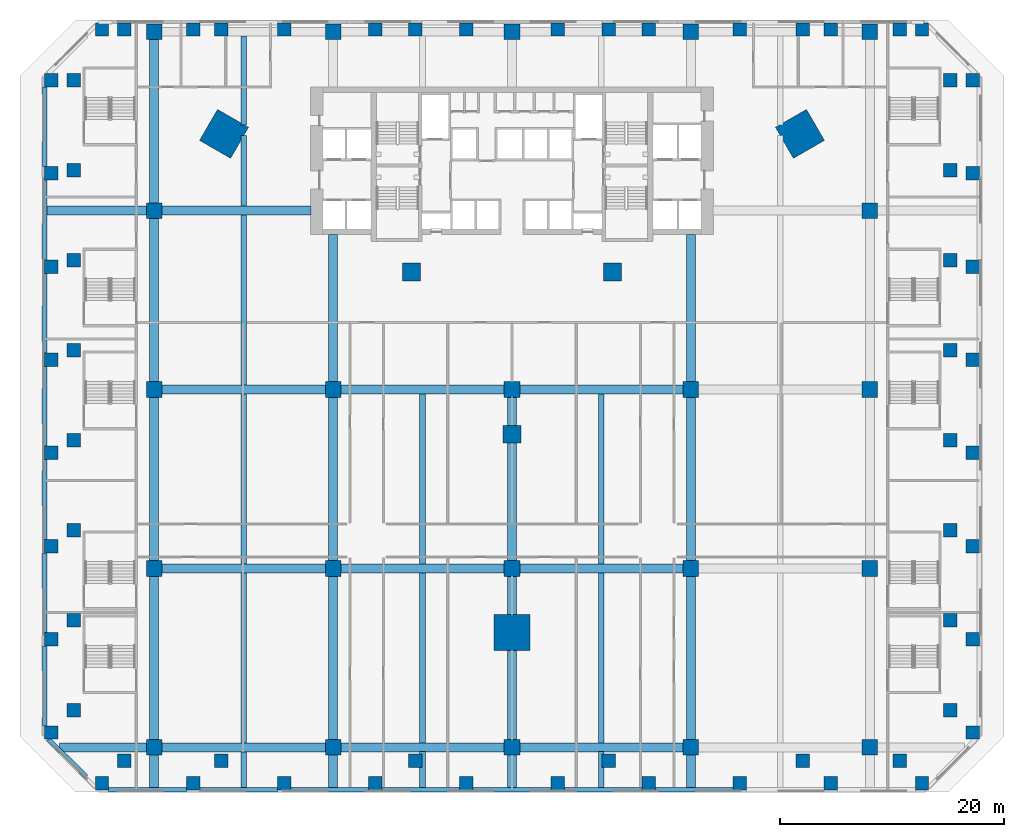
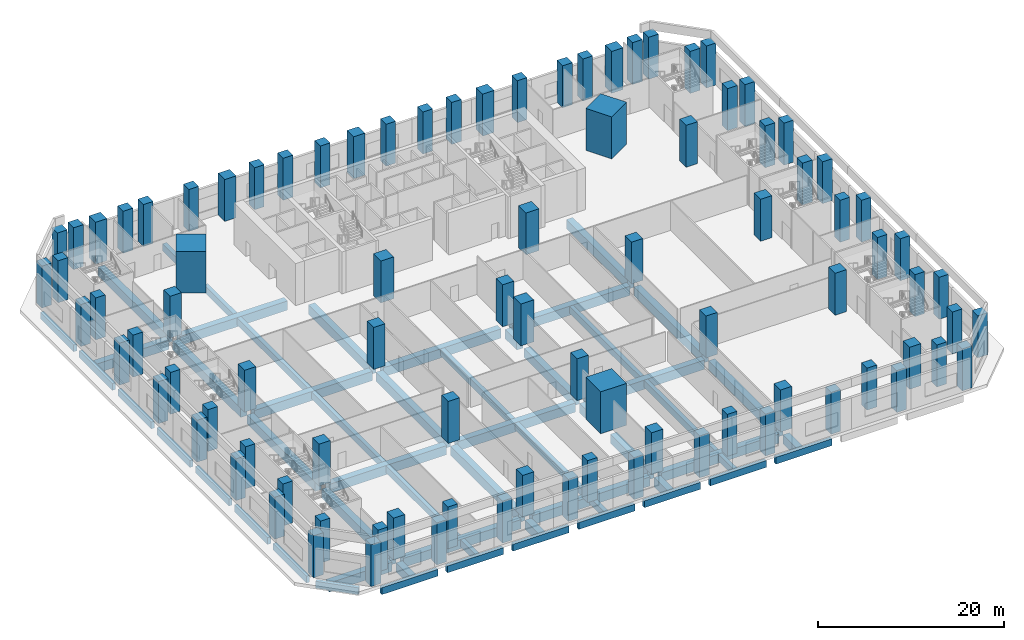
# One storey, part 1 of 22: 92 columns, 57 beams.
"""IFC4 building model written with IfcOpenShell, lengths in metres."""

from ifc_helpers import new_model, si_unit, direction, frame, origin, origin_2d, place, context, subcontext, project, spatial, rectangle, extrude, material, material_profile, profile_set, type_object, element, save


model = new_model("IFC4")

# Units and contexts
model_context = context("Model", 3, precision=1e-05, world=origin(), true_north=direction((0.0, 1.0)))
body_context = subcontext(model_context, "Body", "Model", "MODEL_VIEW")
ifc_project = project(units=[si_unit("LENGTHUNIT", "METRE"), si_unit("AREAUNIT", "SQUARE_METRE"), si_unit("VOLUMEUNIT", "CUBIC_METRE"), si_unit("PLANEANGLEUNIT", "RADIAN"), si_unit("MASSUNIT", "GRAM", prefix="KILO")], contexts=[model_context])

# Site, building, storey
site_placement = place(None, origin())
site = spatial("IfcSite", under=ifc_project, at=site_placement, CompositionType="ELEMENT")
building_placement = place(site_placement, origin())
building = spatial("IfcBuilding", under=site, at=building_placement, Name="Calabash Gate Tower", CompositionType="ELEMENT")
storey_placement = place(building_placement, frame((0.0, 0.0, 34.5)))
storey = spatial("IfcBuildingStorey", under=building, at=storey_placement, Name="L04", CompositionType="ELEMENT", Elevation=34.5)

# Columns
ifc_material_1 = material(Name="Concrete C80/95", Category="concrete")
ifc_material_profile_1 = material_profile(ifc_material_1, rectangle(XDim=1.60009765625, YDim=1.60009765625, at=origin_2d()))
ifc_profile_set_1 = profile_set([ifc_material_profile_1], Name="Concrete C80/95")
column_type_1 = type_object("IfcColumnType", Name="Interior column RC 1600x1600 Concrete C80/95", PredefinedType="COLUMN", material=ifc_profile_set_1)
for number, where, z_axis, x_axis, name in (
    (1, (-9.0, 2.5, 0.0), (0.0, 0.0, 1.0), (1.0, 0.0, 0.0), "Interior column L04 I0"),
    (2, (9.0, 2.5, 0.0), (0.0, 0.0, 1.0), (1.0, 0.0, 0.0), "Interior column L04 I1"),
    (3, (0.0, -12.0, 0.0), (0.0, 0.0, 1.0), (1.0, 0.0, 0.0), "Interior column L04 I2"),
):
    element("IfcColumn", number, at=place(storey_placement, frame(where, z_axis=z_axis, x_axis=x_axis)), inside=storey, type_object=column_type_1, Name=name, PredefinedType="COLUMN", context=body_context, shape_type="SweptSolid", body=[
        extrude(rectangle(XDim=1.60009765625, YDim=1.60009765625, at=origin_2d()), origin(), (0.0, 0.0, 1.0), 5.5),
    ])
ifc_material_2 = material(Name="Concrete C80/95", Category="concrete")
ifc_material_profile_2 = material_profile(ifc_material_2, rectangle(XDim=3.199951171875, YDim=3.199951171875, at=origin_2d()))
ifc_profile_set_2 = profile_set([ifc_material_profile_2], Name="Concrete C80/95")
column_type_2 = type_object("IfcColumnType", Name="Mega column RC 3200x3200 Concrete C80/95", PredefinedType="COLUMN", material=ifc_profile_set_2)
for number, where, z_axis, x_axis, name in (
    (4, (-25.75, 14.866943359375, 0.0), (0.0, 0.0, 1.0), (0.866025386331, -0.50000003023, 0.0), "Mega column L04 NW"),
    (5, (25.75, 14.866943359375, 0.0), (0.0, 0.0, 1.0), (-0.866025386331, -0.50000003023, 0.0), "Mega column L04 NE"),
    (6, (0.0, -29.73291015625, 0.0), (0.0, 0.0, 1.0), (0.0, 1.0, 0.0), "Mega column L04 S"),
):
    element("IfcColumn", number, at=place(storey_placement, frame(where, z_axis=z_axis, x_axis=x_axis)), inside=storey, type_object=column_type_2, Name=name, PredefinedType="COLUMN", context=body_context, shape_type="SweptSolid", body=[
        extrude(rectangle(XDim=3.199951171875, YDim=3.199951171875, at=origin_2d()), origin(), (0.0, 0.0, 1.0), 5.5),
    ])
ifc_material_3 = material(Name="Concrete C80/95", Category="concrete")
ifc_material_profile_3 = material_profile(ifc_material_3, rectangle(XDim=1.39990234375, YDim=1.39990234375, at=origin_2d()))
ifc_profile_set_3 = profile_set([ifc_material_profile_3], Name="Concrete C80/95")
column_type_3 = type_object("IfcColumnType", Name="Podium column RC 1400x1400 Concrete C80/95", PredefinedType="COLUMN", material=ifc_profile_set_3)
for number, where, z_axis, x_axis, name in (
    (7, (-32.0, -40.0, 0.0), (0.0, 0.0, 1.0), (1.0, 0.0, 0.0), "Podium column L04 G2A"),
    (8, (-32.0, -24.0, 0.0), (0.0, 0.0, 1.0), (1.0, 0.0, 0.0), "Podium column L04 G2B"),
    (9, (-32.0, -8.0, 0.0), (0.0, 0.0, 1.0), (1.0, 0.0, 0.0), "Podium column L04 G2C"),
    (10, (-32.0, 8.0, 0.0), (0.0, 0.0, 1.0), (1.0, 0.0, 0.0), "Podium column L04 G2D"),
    (11, (-32.0, 24.0, 0.0), (0.0, 0.0, 1.0), (1.0, 0.0, 0.0), "Podium column L04 G2E"),
    (12, (-16.0, -40.0, 0.0), (0.0, 0.0, 1.0), (1.0, 0.0, 0.0), "Podium column L04 G3A"),
    (13, (-16.0, -24.0, 0.0), (0.0, 0.0, 1.0), (1.0, 0.0, 0.0), "Podium column L04 G3B"),
    (14, (-16.0, -8.0, 0.0), (0.0, 0.0, 1.0), (1.0, 0.0, 0.0), "Podium column L04 G3C"),
    (15, (-16.0, 24.0, 0.0), (0.0, 0.0, 1.0), (1.0, 0.0, 0.0), "Podium column L04 G3E"),
    (16, (0.0, -40.0, 0.0), (0.0, 0.0, 1.0), (1.0, 0.0, 0.0), "Podium column L04 G4A"),
    (17, (0.0, -24.0, 0.0), (0.0, 0.0, 1.0), (1.0, 0.0, 0.0), "Podium column L04 G4B"),
    (18, (0.0, -8.0, 0.0), (0.0, 0.0, 1.0), (1.0, 0.0, 0.0), "Podium column L04 G4C"),
    (19, (0.0, 24.0, 0.0), (0.0, 0.0, 1.0), (1.0, 0.0, 0.0), "Podium column L04 G4E"),
    (20, (16.0, -40.0, 0.0), (0.0, 0.0, 1.0), (1.0, 0.0, 0.0), "Podium column L04 G5A"),
    (21, (16.0, -24.0, 0.0), (0.0, 0.0, 1.0), (1.0, 0.0, 0.0), "Podium column L04 G5B"),
    (22, (16.0, -8.0, 0.0), (0.0, 0.0, 1.0), (1.0, 0.0, 0.0), "Podium column L04 G5C"),
    (23, (16.0, 24.0, 0.0), (0.0, 0.0, 1.0), (1.0, 0.0, 0.0), "Podium column L04 G5E"),
    (24, (32.0, -40.0, 0.0), (0.0, 0.0, 1.0), (1.0, 0.0, 0.0), "Podium column L04 G6A"),
    (25, (32.0, -24.0, 0.0), (0.0, 0.0, 1.0), (1.0, 0.0, 0.0), "Podium column L04 G6B"),
    (26, (32.0, -8.0, 0.0), (0.0, 0.0, 1.0), (1.0, 0.0, 0.0), "Podium column L04 G6C"),
    (27, (32.0, 8.0, 0.0), (0.0, 0.0, 1.0), (1.0, 0.0, 0.0), "Podium column L04 G6D"),
    (28, (32.0, 24.0, 0.0), (0.0, 0.0, 1.0), (1.0, 0.0, 0.0), "Podium column L04 G6E"),
):
    element("IfcColumn", number, at=place(storey_placement, frame(where, z_axis=z_axis, x_axis=x_axis)), inside=storey, type_object=column_type_3, Name=name, PredefinedType="COLUMN", context=body_context, shape_type="SweptSolid", body=[
        extrude(rectangle(XDim=1.39990234375, YDim=1.39990234375, at=origin_2d()), origin(), (0.0, 0.0, 1.0), 5.5),
    ])
ifc_material_4 = material(Name="Concrete C80/95", Category="concrete")
ifc_material_profile_4 = material_profile(ifc_material_4, rectangle(XDim=1.199951171875, YDim=1.199951171875, at=origin_2d()))
ifc_profile_set_4 = profile_set([ifc_material_profile_4], Name="Concrete C80/95")
column_type_4 = type_object("IfcColumnType", Name="Podium edge column RC 1200x1200 Concrete C80/95", PredefinedType="COLUMN", material=ifc_profile_set_4)
for number, where, z_axis, x_axis, name in (
    (29, (-34.6689453125, -41.199951171875, 0.0), (0.0, 0.0, 1.0), (1.0, 0.0, 0.0), "Podium edge column L04 E01"),
    (30, (-39.199951171875, -36.6689453125, 0.0), (0.0, 0.0, 1.0), (1.0, 0.0, 0.0), "Podium edge column L04 E02"),
    (31, (-39.199951171875, 19.6689453125, 0.0), (0.0, 0.0, 1.0), (1.0, 0.0, 0.0), "Podium edge column L04 E03"),
    (32, (-34.6689453125, 24.199951171875, 0.0), (0.0, 0.0, 1.0), (1.0, 0.0, 0.0), "Podium edge column L04 E04"),
    (33, (34.6689453125, 24.199951171875, 0.0), (0.0, 0.0, 1.0), (1.0, 0.0, 0.0), "Podium edge column L04 E05"),
    (34, (39.199951171875, 19.6689453125, 0.0), (0.0, 0.0, 1.0), (1.0, 0.0, 0.0), "Podium edge column L04 E06"),
    (35, (39.199951171875, -36.6689453125, 0.0), (0.0, 0.0, 1.0), (1.0, 0.0, 0.0), "Podium edge column L04 E07"),
    (36, (34.6689453125, -41.199951171875, 0.0), (0.0, 0.0, 1.0), (1.0, 0.0, 0.0), "Podium edge column L04 E08"),
    (37, (-39.199951171875, -28.6201171875, 0.0), (0.0, 0.0, 1.0), (1.0, 0.0, 0.0), "Podium edge column L04 E09"),
    (38, (-39.199951171875, -20.572021484375, 0.0), (0.0, 0.0, 1.0), (1.0, 0.0, 0.0), "Podium edge column L04 E10"),
    (39, (-39.199951171875, -12.52392578125, 0.0), (0.0, 0.0, 1.0), (1.0, 0.0, 0.0), "Podium edge column L04 E11"),
    (40, (-39.199951171875, -4.47607421875, 0.0), (0.0, 0.0, 1.0), (1.0, 0.0, 0.0), "Podium edge column L04 E12"),
    (41, (-39.199951171875, 3.572021484375, 0.0), (0.0, 0.0, 1.0), (1.0, 0.0, 0.0), "Podium edge column L04 E13"),
    (42, (-39.199951171875, 11.6201171875, 0.0), (0.0, 0.0, 1.0), (1.0, 0.0, 0.0), "Podium edge column L04 E14"),
    (43, (-26.001953125, 24.199951171875, 0.0), (0.0, 0.0, 1.0), (1.0, 0.0, 0.0), "Podium edge column L04 E15"),
    (44, (-8.6669921875, 24.199951171875, 0.0), (0.0, 0.0, 1.0), (1.0, 0.0, 0.0), "Podium edge column L04 E16"),
    (45, (8.6669921875, 24.199951171875, 0.0), (0.0, 0.0, 1.0), (1.0, 0.0, 0.0), "Podium edge column L04 E17"),
    (46, (26.001953125, 24.199951171875, 0.0), (0.0, 0.0, 1.0), (1.0, 0.0, 0.0), "Podium edge column L04 E18"),
    (47, (39.199951171875, 11.6201171875, 0.0), (0.0, 0.0, 1.0), (1.0, 0.0, 0.0), "Podium edge column L04 E19"),
    (48, (39.199951171875, 3.572021484375, 0.0), (0.0, 0.0, 1.0), (1.0, 0.0, 0.0), "Podium edge column L04 E20"),
    (49, (39.199951171875, -4.47607421875, 0.0), (0.0, 0.0, 1.0), (1.0, 0.0, 0.0), "Podium edge column L04 E21"),
    (50, (39.199951171875, -12.52392578125, 0.0), (0.0, 0.0, 1.0), (1.0, 0.0, 0.0), "Podium edge column L04 E22"),
    (51, (39.199951171875, -20.572021484375, 0.0), (0.0, 0.0, 1.0), (1.0, 0.0, 0.0), "Podium edge column L04 E23"),
    (52, (39.199951171875, -28.6201171875, 0.0), (0.0, 0.0, 1.0), (1.0, 0.0, 0.0), "Podium edge column L04 E24"),
    (53, (26.001953125, -41.199951171875, 0.0), (0.0, 0.0, 1.0), (1.0, 0.0, 0.0), "Podium edge column L04 E25"),
    (54, (8.6669921875, -41.199951171875, 0.0), (0.0, 0.0, 1.0), (1.0, 0.0, 0.0), "Podium edge column L04 E26"),
    (55, (-8.6669921875, -41.199951171875, 0.0), (0.0, 0.0, 1.0), (1.0, 0.0, 0.0), "Podium edge column L04 E27"),
    (56, (-26.001953125, -41.199951171875, 0.0), (0.0, 0.0, 1.0), (1.0, 0.0, 0.0), "Podium edge column L04 E28"),
    (57, (-36.6689453125, -43.199951171875, 0.0), (0.0, 0.0, 1.0), (1.0, 0.0, 0.0), "Podium edge column L04 E29"),
    (58, (-41.199951171875, -38.6689453125, 0.0), (0.0, 0.0, 1.0), (1.0, 0.0, 0.0), "Podium edge column L04 E30"),
    (59, (-41.199951171875, 19.6689453125, 0.0), (0.0, 0.0, 1.0), (1.0, 0.0, 0.0), "Podium edge column L04 E31"),
    (60, (-36.6689453125, 24.199951171875, 0.0), (0.0, 0.0, 1.0), (1.0, 0.0, 0.0), "Podium edge column L04 E32"),
    (61, (36.6689453125, 24.199951171875, 0.0), (0.0, 0.0, 1.0), (1.0, 0.0, 0.0), "Podium edge column L04 E33"),
    (62, (41.199951171875, 19.6689453125, 0.0), (0.0, 0.0, 1.0), (1.0, 0.0, 0.0), "Podium edge column L04 E34"),
    (63, (41.199951171875, -38.6689453125, 0.0), (0.0, 0.0, 1.0), (1.0, 0.0, 0.0), "Podium edge column L04 E35"),
    (64, (36.6689453125, -43.199951171875, 0.0), (0.0, 0.0, 1.0), (1.0, 0.0, 0.0), "Podium edge column L04 E36"),
    (65, (-41.199951171875, -30.3330078125, 0.0), (0.0, 0.0, 1.0), (1.0, 0.0, 0.0), "Podium edge column L04 E37"),
    (66, (-41.199951171875, -22.0009765625, 0.0), (0.0, 0.0, 1.0), (1.0, 0.0, 0.0), "Podium edge column L04 E38"),
    (67, (-41.199951171875, -13.6669921875, 0.0), (0.0, 0.0, 1.0), (1.0, 0.0, 0.0), "Podium edge column L04 E39"),
    (68, (-41.199951171875, -5.3330078125, 0.0), (0.0, 0.0, 1.0), (1.0, 0.0, 0.0), "Podium edge column L04 E40"),
    (69, (-41.199951171875, 3.0009765625, 0.0), (0.0, 0.0, 1.0), (1.0, 0.0, 0.0), "Podium edge column L04 E41"),
    (70, (-41.199951171875, 11.3369140625, 0.0), (0.0, 0.0, 1.0), (1.0, 0.0, 0.0), "Podium edge column L04 E42"),
    (71, (-28.52001953125, 24.199951171875, 0.0), (0.0, 0.0, 1.0), (1.0, 0.0, 0.0), "Podium edge column L04 E43"),
    (72, (-20.3720703125, 24.199951171875, 0.0), (0.0, 0.0, 1.0), (1.0, 0.0, 0.0), "Podium edge column L04 E44"),
    (73, (-12.222900390625, 24.199951171875, 0.0), (0.0, 0.0, 1.0), (1.0, 0.0, 0.0), "Podium edge column L04 E45"),
    (74, (-4.073974609375, 24.199951171875, 0.0), (0.0, 0.0, 1.0), (1.0, 0.0, 0.0), "Podium edge column L04 E46"),
    (75, (4.073974609375, 24.199951171875, 0.0), (0.0, 0.0, 1.0), (1.0, 0.0, 0.0), "Podium edge column L04 E47"),
    (76, (12.222900390625, 24.199951171875, 0.0), (0.0, 0.0, 1.0), (1.0, 0.0, 0.0), "Podium edge column L04 E48"),
    (77, (20.3720703125, 24.199951171875, 0.0), (0.0, 0.0, 1.0), (1.0, 0.0, 0.0), "Podium edge column L04 E49"),
    (78, (28.52001953125, 24.199951171875, 0.0), (0.0, 0.0, 1.0), (1.0, 0.0, 0.0), "Podium edge column L04 E50"),
    (79, (41.199951171875, 11.3369140625, 0.0), (0.0, 0.0, 1.0), (1.0, 0.0, 0.0), "Podium edge column L04 E51"),
    (80, (41.199951171875, 3.0009765625, 0.0), (0.0, 0.0, 1.0), (1.0, 0.0, 0.0), "Podium edge column L04 E52"),
    (81, (41.199951171875, -5.3330078125, 0.0), (0.0, 0.0, 1.0), (1.0, 0.0, 0.0), "Podium edge column L04 E53"),
    (82, (41.199951171875, -13.6669921875, 0.0), (0.0, 0.0, 1.0), (1.0, 0.0, 0.0), "Podium edge column L04 E54"),
    (83, (41.199951171875, -22.0009765625, 0.0), (0.0, 0.0, 1.0), (1.0, 0.0, 0.0), "Podium edge column L04 E55"),
    (84, (41.199951171875, -30.3330078125, 0.0), (0.0, 0.0, 1.0), (1.0, 0.0, 0.0), "Podium edge column L04 E56"),
    (85, (28.52001953125, -43.199951171875, 0.0), (0.0, 0.0, 1.0), (1.0, 0.0, 0.0), "Podium edge column L04 E57"),
    (86, (20.3720703125, -43.199951171875, 0.0), (0.0, 0.0, 1.0), (1.0, 0.0, 0.0), "Podium edge column L04 E58"),
    (87, (12.222900390625, -43.199951171875, 0.0), (0.0, 0.0, 1.0), (1.0, 0.0, 0.0), "Podium edge column L04 E59"),
    (88, (4.073974609375, -43.199951171875, 0.0), (0.0, 0.0, 1.0), (1.0, 0.0, 0.0), "Podium edge column L04 E60"),
    (89, (-4.073974609375, -43.199951171875, 0.0), (0.0, 0.0, 1.0), (1.0, 0.0, 0.0), "Podium edge column L04 E61"),
    (90, (-12.222900390625, -43.199951171875, 0.0), (0.0, 0.0, 1.0), (1.0, 0.0, 0.0), "Podium edge column L04 E62"),
    (91, (-20.3720703125, -43.199951171875, 0.0), (0.0, 0.0, 1.0), (1.0, 0.0, 0.0), "Podium edge column L04 E63"),
    (92, (-28.52001953125, -43.199951171875, 0.0), (0.0, 0.0, 1.0), (1.0, 0.0, 0.0), "Podium edge column L04 E64"),
):
    element("IfcColumn", number, at=place(storey_placement, frame(where, z_axis=z_axis, x_axis=x_axis)), inside=storey, type_object=column_type_4, Name=name, PredefinedType="COLUMN", context=body_context, shape_type="SweptSolid", body=[
        extrude(rectangle(XDim=1.199951171875, YDim=1.199951171875, at=origin_2d()), origin(), (0.0, 0.0, 1.0), 5.5),
    ])

# Beams
ifc_material_5 = material(Name="Concrete C50/60", Category="concrete")
ifc_material_profile_5 = material_profile(ifc_material_5, rectangle(XDim=0.39990234375, YDim=0.89990234375, at=origin_2d()))
ifc_profile_set_5 = profile_set([ifc_material_profile_5], Name="Concrete C50/60")
beam_type_1 = type_object("IfcBeamType", Name="Edge beam RC 400x900 Concrete C50/60", PredefinedType="BEAM", material=ifc_profile_set_5)
beam_1_placement = place(storey_placement, frame((-38.093017578125, -42.623046875, -0.89990234375), z_axis=(-0.707209001175, 0.707004546419, 0.0), x_axis=(-0.707004546419, -0.707209001175, 0.0)))
element("IfcBeam", 93, at=beam_1_placement, inside=storey, type_object=beam_type_1, Name="Edge beam L04 1", PredefinedType="BEAM", context=body_context, shape_type="SweptSolid", body=[
    extrude(rectangle(XDim=0.39990234375, YDim=0.89990234375, at=origin_2d()), origin(), (0.0, 0.0, 1.0), 4.7763671875),
])
beam_2_placement = place(storey_placement, frame((-41.800048828125, -38.069091796875, -0.89990234375), z_axis=(0.0, 1.0, 0.0), x_axis=(-1.0, 0.0, 0.0)))
element("IfcBeam", 94, at=beam_2_placement, inside=storey, type_object=beam_type_1, Name="Edge beam L04 2", PredefinedType="BEAM", context=body_context, shape_type="SweptSolid", body=[
    extrude(rectangle(XDim=0.39990234375, YDim=0.89990234375, at=origin_2d()), origin(), (0.0, 0.0, 1.0), 7.135986328125),
])
beam_3_placement = place(storey_placement, frame((-41.800048828125, -29.73291015625, -0.89990234375), z_axis=(0.0, 1.0, 0.0), x_axis=(-1.0, 0.0, 0.0)))
element("IfcBeam", 95, at=beam_3_placement, inside=storey, type_object=beam_type_1, Name="Edge beam L04 3", PredefinedType="BEAM", context=body_context, shape_type="SweptSolid", body=[
    extrude(rectangle(XDim=0.39990234375, YDim=0.89990234375, at=origin_2d()), origin(), (0.0, 0.0, 1.0), 7.1318359375),
])
for number, where, z_axis, x_axis, name in (
    (96, (-41.800048828125, -21.40087890625, -0.89990234375), (0.0, 1.0, 0.0), (-1.0, 0.0, 0.0), "Edge beam L04 4"),
    (97, (-41.800048828125, -13.06689453125, -0.89990234375), (0.0, 1.0, 0.0), (-1.0, 0.0, 0.0), "Edge beam L04 5"),
    (98, (-41.800048828125, -4.73291015625, -0.89990234375), (0.0, 1.0, 0.0), (-1.0, 0.0, 0.0), "Edge beam L04 6"),
):
    element("IfcBeam", number, at=place(storey_placement, frame(where, z_axis=z_axis, x_axis=x_axis)), inside=storey, type_object=beam_type_1, Name=name, PredefinedType="BEAM", context=body_context, shape_type="SweptSolid", body=[
        extrude(rectangle(XDim=0.39990234375, YDim=0.89990234375, at=origin_2d()), origin(), (0.0, 0.0, 1.0), 7.1337890625),
    ])
beam_4_placement = place(storey_placement, frame((-41.800048828125, 3.60107421875, -0.89990234375), z_axis=(0.0, 1.0, 0.0), x_axis=(-1.0, 0.0, 0.0)))
element("IfcBeam", 99, at=beam_4_placement, inside=storey, type_object=beam_type_1, Name="Edge beam L04 7", PredefinedType="BEAM", context=body_context, shape_type="SweptSolid", body=[
    extrude(rectangle(XDim=0.39990234375, YDim=0.89990234375, at=origin_2d()), origin(), (0.0, 0.0, 1.0), 7.135986328125),
])
beam_5_placement = place(storey_placement, frame((-41.800048828125, 11.93701171875, -0.89990234375), z_axis=(0.0, 1.0, 0.0), x_axis=(-1.0, 0.0, 0.0)))
element("IfcBeam", 100, at=beam_5_placement, inside=storey, type_object=beam_type_1, Name="Edge beam L04 8", PredefinedType="BEAM", context=body_context, shape_type="SweptSolid", body=[
    extrude(rectangle(XDim=0.39990234375, YDim=0.89990234375, at=origin_2d()), origin(), (0.0, 0.0, 1.0), 7.132080078125),
])
beam_6_placement = place(storey_placement, frame((19.77099609375, -43.800048828125, -0.89990234375), z_axis=(-1.0, 0.0, 0.0), x_axis=(0.0, -1.0, 0.0)))
element("IfcBeam", 101, at=beam_6_placement, inside=storey, type_object=beam_type_1, Name="Edge beam L04 29", PredefinedType="BEAM", context=body_context, shape_type="SweptSolid", body=[
    extrude(rectangle(XDim=0.39990234375, YDim=0.89990234375, at=origin_2d()), origin(), (0.0, 0.0, 1.0), 6.947998046875),
])
beam_7_placement = place(storey_placement, frame((11.623046875, -43.800048828125, -0.89990234375), z_axis=(-1.0, 0.0, 0.0), x_axis=(0.0, -1.0, 0.0)))
element("IfcBeam", 102, at=beam_7_placement, inside=storey, type_object=beam_type_1, Name="Edge beam L04 30", PredefinedType="BEAM", context=body_context, shape_type="SweptSolid", body=[
    extrude(rectangle(XDim=0.39990234375, YDim=0.89990234375, at=origin_2d()), origin(), (0.0, 0.0, 1.0), 6.948974609375),
])
beam_8_placement = place(storey_placement, frame((3.47412109375, -43.800048828125, -0.89990234375), z_axis=(-1.0, 0.0, 0.0), x_axis=(0.0, -1.0, 0.0)))
element("IfcBeam", 103, at=beam_8_placement, inside=storey, type_object=beam_type_1, Name="Edge beam L04 31", PredefinedType="BEAM", context=body_context, shape_type="SweptSolid", body=[
    extrude(rectangle(XDim=0.39990234375, YDim=0.89990234375, at=origin_2d()), origin(), (0.0, 0.0, 1.0), 6.9482421875),
])
beam_9_placement = place(storey_placement, frame((-4.674072265625, -43.800048828125, -0.89990234375), z_axis=(-1.0, 0.0, 0.0), x_axis=(0.0, -1.0, 0.0)))
element("IfcBeam", 104, at=beam_9_placement, inside=storey, type_object=beam_type_1, Name="Edge beam L04 32", PredefinedType="BEAM", context=body_context, shape_type="SweptSolid", body=[
    extrude(rectangle(XDim=0.39990234375, YDim=0.89990234375, at=origin_2d()), origin(), (0.0, 0.0, 1.0), 6.948974609375),
])
for number, where, z_axis, x_axis, name in (
    (105, (-12.822998046875, -43.800048828125, -0.89990234375), (-1.0, 0.0, 0.0), (0.0, -1.0, 0.0), "Edge beam L04 33"),
    (106, (-20.971923828125, -43.800048828125, -0.89990234375), (-1.0, 0.0, 0.0), (0.0, -1.0, 0.0), "Edge beam L04 34"),
):
    element("IfcBeam", number, at=place(storey_placement, frame(where, z_axis=z_axis, x_axis=x_axis)), inside=storey, type_object=beam_type_1, Name=name, PredefinedType="BEAM", context=body_context, shape_type="SweptSolid", body=[
        extrude(rectangle(XDim=0.39990234375, YDim=0.89990234375, at=origin_2d()), origin(), (0.0, 0.0, 1.0), 6.947998046875),
    ])
beam_10_placement = place(storey_placement, frame((-29.1201171875, -43.800048828125, -0.89990234375), z_axis=(-1.0, 0.0, 0.0), x_axis=(0.0, -1.0, 0.0)))
element("IfcBeam", 107, at=beam_10_placement, inside=storey, type_object=beam_type_1, Name="Edge beam L04 35", PredefinedType="BEAM", context=body_context, shape_type="SweptSolid", body=[
    extrude(rectangle(XDim=0.39990234375, YDim=0.89990234375, at=origin_2d()), origin(), (0.0, 0.0, 1.0), 6.948974609375),
])
ifc_material_6 = material(Name="Concrete C50/60", Category="concrete")
ifc_material_profile_6 = material_profile(ifc_material_6, rectangle(XDim=0.5, YDim=0.89990234375, at=origin_2d()))
ifc_profile_set_6 = profile_set([ifc_material_profile_6], Name="Concrete C50/60")
beam_type_2 = type_object("IfcBeamType", Name="Floor beam RC 500x900 Concrete C50/60", PredefinedType="BEAM", material=ifc_profile_set_6)
beam_11_placement = place(storey_placement, frame((-24.0, -43.60009765625, -0.89990234375), z_axis=(0.0, 1.0, 0.0), x_axis=(-1.0, 0.0, 0.0)))
element("IfcBeam", 108, at=beam_11_placement, inside=storey, type_object=beam_type_2, Name="Floor beam L04 1", PredefinedType="BEAM", context=body_context, shape_type="SweptSolid", body=[
    extrude(rectangle(XDim=0.5, YDim=0.89990234375, at=origin_2d()), origin(), (0.0, 0.0, 1.0), 3.2001953125),
])
for number, where, z_axis, x_axis, name in (
    (109, (-24.0, -39.60009765625, -0.89990234375), (0.0, 1.0, 0.0), (-1.0, 0.0, 0.0), "Floor beam L04 2"),
    (110, (-24.0, -23.60009765625, -0.89990234375), (0.0, 1.0, 0.0), (-1.0, 0.0, 0.0), "Floor beam L04 3"),
    (111, (-24.0, -7.60009765625, -0.89990234375), (0.0, 1.0, 0.0), (-1.0, 0.0, 0.0), "Floor beam L04 4"),
):
    element("IfcBeam", number, at=place(storey_placement, frame(where, z_axis=z_axis, x_axis=x_axis)), inside=storey, type_object=beam_type_2, Name=name, PredefinedType="BEAM", context=body_context, shape_type="SweptSolid", body=[
        extrude(rectangle(XDim=0.5, YDim=0.89990234375, at=origin_2d()), origin(), (0.0, 0.0, 1.0), 15.2001953125),
    ])
beam_12_placement = place(storey_placement, frame((-24.0, 8.39990234375, -0.89990234375), z_axis=(0.0, 1.0, 0.0), x_axis=(-1.0, 0.0, 0.0)))
element("IfcBeam", 112, at=beam_12_placement, inside=storey, type_object=beam_type_2, Name="Floor beam L04 5", PredefinedType="BEAM", context=body_context, shape_type="SweptSolid", body=[
    extrude(rectangle(XDim=0.5, YDim=0.89990234375, at=origin_2d()), origin(), (0.0, 0.0, 1.0), 6.319091796875),
])
beam_13_placement = place(storey_placement, frame((-24.0, 15.681884765625, -0.89990234375), z_axis=(0.0, 1.0, 0.0), x_axis=(-1.0, 0.0, 0.0)))
element("IfcBeam", 113, at=beam_13_placement, inside=storey, type_object=beam_type_2, Name="Floor beam L04 6", PredefinedType="BEAM", context=body_context, shape_type="SweptSolid", body=[
    extrude(rectangle(XDim=0.5, YDim=0.89990234375, at=origin_2d()), origin(), (0.0, 0.0, 1.0), 7.918212890625),
])
beam_14_placement = place(storey_placement, frame((-8.0, -43.60009765625, -0.89990234375), z_axis=(0.0, 1.0, 0.0), x_axis=(-1.0, 0.0, 0.0)))
element("IfcBeam", 114, at=beam_14_placement, inside=storey, type_object=beam_type_2, Name="Floor beam L04 7", PredefinedType="BEAM", context=body_context, shape_type="SweptSolid", body=[
    extrude(rectangle(XDim=0.5, YDim=0.89990234375, at=origin_2d()), origin(), (0.0, 0.0, 1.0), 3.232177734375),
])
for number, where, z_axis, x_axis, name in (
    (115, (-8.0, -39.60009765625, -0.89990234375), (0.0, 1.0, 0.0), (-1.0, 0.0, 0.0), "Floor beam L04 8"),
    (116, (-8.0, -23.60009765625, -0.89990234375), (0.0, 1.0, 0.0), (-1.0, 0.0, 0.0), "Floor beam L04 9"),
):
    element("IfcBeam", number, at=place(storey_placement, frame(where, z_axis=z_axis, x_axis=x_axis)), inside=storey, type_object=beam_type_2, Name=name, PredefinedType="BEAM", context=body_context, shape_type="SweptSolid", body=[
        extrude(rectangle(XDim=0.5, YDim=0.89990234375, at=origin_2d()), origin(), (0.0, 0.0, 1.0), 15.2001953125),
    ])
beam_15_placement = place(storey_placement, frame((8.0, -43.60009765625, -0.89990234375), z_axis=(0.0, 1.0, 0.0), x_axis=(-1.0, 0.0, 0.0)))
element("IfcBeam", 117, at=beam_15_placement, inside=storey, type_object=beam_type_2, Name="Floor beam L04 11", PredefinedType="BEAM", context=body_context, shape_type="SweptSolid", body=[
    extrude(rectangle(XDim=0.5, YDim=0.89990234375, at=origin_2d()), origin(), (0.0, 0.0, 1.0), 3.232177734375),
])
for number, where, z_axis, x_axis, name in (
    (118, (8.0, -39.60009765625, -0.89990234375), (0.0, 1.0, 0.0), (-1.0, 0.0, 0.0), "Floor beam L04 12"),
    (119, (8.0, -23.60009765625, -0.89990234375), (0.0, 1.0, 0.0), (-1.0, 0.0, 0.0), "Floor beam L04 13"),
):
    element("IfcBeam", number, at=place(storey_placement, frame(where, z_axis=z_axis, x_axis=x_axis)), inside=storey, type_object=beam_type_2, Name=name, PredefinedType="BEAM", context=body_context, shape_type="SweptSolid", body=[
        extrude(rectangle(XDim=0.5, YDim=0.89990234375, at=origin_2d()), origin(), (0.0, 0.0, 1.0), 15.2001953125),
    ])
ifc_material_7 = material(Name="Concrete C50/60", Category="concrete")
ifc_material_profile_7 = material_profile(ifc_material_7, rectangle(XDim=0.800048828125, YDim=1.199951171875, at=origin_2d()))
ifc_profile_set_7 = profile_set([ifc_material_profile_7], Name="Concrete C50/60")
beam_type_3 = type_object("IfcBeamType", Name="Grid girder RC 800x1200 Concrete C50/60", PredefinedType="BEAM", material=ifc_profile_set_7)
beam_16_placement = place(storey_placement, frame((-32.0, -43.60009765625, -1.050048828125), z_axis=(0.0, 1.0, 0.0), x_axis=(-1.0, 0.0, 0.0)))
element("IfcBeam", 120, at=beam_16_placement, inside=storey, type_object=beam_type_3, Name="Grid girder L04 1", PredefinedType="BEAM", context=body_context, shape_type="SweptSolid", body=[
    extrude(rectangle(XDim=0.800048828125, YDim=1.199951171875, at=origin_2d()), origin(), (0.0, 0.0, 1.0), 2.900146484375),
])
for number, where, z_axis, x_axis, name in (
    (121, (-32.0, -39.300048828125, -1.050048828125), (0.0, 1.0, 0.0), (-1.0, 0.0, 0.0), "Grid girder L04 2"),
    (122, (-32.0, -23.300048828125, -1.050048828125), (0.0, 1.0, 0.0), (-1.0, 0.0, 0.0), "Grid girder L04 3"),
    (123, (-32.0, -7.300048828125, -1.050048828125), (0.0, 1.0, 0.0), (-1.0, 0.0, 0.0), "Grid girder L04 4"),
    (124, (-32.0, 8.699951171875, -1.050048828125), (0.0, 1.0, 0.0), (-1.0, 0.0, 0.0), "Grid girder L04 5"),
):
    element("IfcBeam", number, at=place(storey_placement, frame(where, z_axis=z_axis, x_axis=x_axis)), inside=storey, type_object=beam_type_3, Name=name, PredefinedType="BEAM", context=body_context, shape_type="SweptSolid", body=[
        extrude(rectangle(XDim=0.800048828125, YDim=1.199951171875, at=origin_2d()), origin(), (0.0, 0.0, 1.0), 14.60009765625),
    ])
beam_17_placement = place(storey_placement, frame((-16.0, -43.60009765625, -1.050048828125), z_axis=(0.0, 1.0, 0.0), x_axis=(-1.0, 0.0, 0.0)))
element("IfcBeam", 125, at=beam_17_placement, inside=storey, type_object=beam_type_3, Name="Grid girder L04 6", PredefinedType="BEAM", context=body_context, shape_type="SweptSolid", body=[
    extrude(rectangle(XDim=0.800048828125, YDim=1.199951171875, at=origin_2d()), origin(), (0.0, 0.0, 1.0), 2.900146484375),
])
for number, where, z_axis, x_axis, name in (
    (126, (-16.0, -39.300048828125, -1.050048828125), (0.0, 1.0, 0.0), (-1.0, 0.0, 0.0), "Grid girder L04 7"),
    (127, (-16.0, -23.300048828125, -1.050048828125), (0.0, 1.0, 0.0), (-1.0, 0.0, 0.0), "Grid girder L04 8"),
):
    element("IfcBeam", number, at=place(storey_placement, frame(where, z_axis=z_axis, x_axis=x_axis)), inside=storey, type_object=beam_type_3, Name=name, PredefinedType="BEAM", context=body_context, shape_type="SweptSolid", body=[
        extrude(rectangle(XDim=0.800048828125, YDim=1.199951171875, at=origin_2d()), origin(), (0.0, 0.0, 1.0), 14.60009765625),
    ])
beam_18_placement = place(storey_placement, frame((-16.0, -7.300048828125, -1.050048828125), z_axis=(0.0, 1.0, 0.0), x_axis=(-1.0, 0.0, 0.0)))
element("IfcBeam", 128, at=beam_18_placement, inside=storey, type_object=beam_type_3, Name="Grid girder L04 9", PredefinedType="BEAM", context=body_context, shape_type="SweptSolid", body=[
    extrude(rectangle(XDim=0.800048828125, YDim=1.199951171875, at=origin_2d()), origin(), (0.0, 0.0, 1.0), 13.153076171875),
])
beam_19_placement = place(storey_placement, frame((0.0, -43.60009765625, -1.050048828125), z_axis=(0.0, 1.0, 0.0), x_axis=(-1.0, 0.0, 0.0)))
element("IfcBeam", 129, at=beam_19_placement, inside=storey, type_object=beam_type_3, Name="Grid girder L04 11", PredefinedType="BEAM", context=body_context, shape_type="SweptSolid", body=[
    extrude(rectangle(XDim=0.800048828125, YDim=1.199951171875, at=origin_2d()), origin(), (0.0, 0.0, 1.0), 2.900146484375),
])
beam_20_placement = place(storey_placement, frame((0.0, -39.300048828125, -1.050048828125), z_axis=(0.0, 1.0, 0.0), x_axis=(-1.0, 0.0, 0.0)))
element("IfcBeam", 130, at=beam_20_placement, inside=storey, type_object=beam_type_3, Name="Grid girder L04 12", PredefinedType="BEAM", context=body_context, shape_type="SweptSolid", body=[
    extrude(rectangle(XDim=0.800048828125, YDim=1.199951171875, at=origin_2d()), origin(), (0.0, 0.0, 1.0), 7.967041015625),
])
beam_21_placement = place(storey_placement, frame((0.0, -28.133056640625, -1.050048828125), z_axis=(0.0, 1.0, 0.0), x_axis=(-1.0, 0.0, 0.0)))
element("IfcBeam", 131, at=beam_21_placement, inside=storey, type_object=beam_type_3, Name="Grid girder L04 13", PredefinedType="BEAM", context=body_context, shape_type="SweptSolid", body=[
    extrude(rectangle(XDim=0.800048828125, YDim=1.199951171875, at=origin_2d()), origin(), (0.0, 0.0, 1.0), 3.43310546875),
])
beam_22_placement = place(storey_placement, frame((0.0, -23.300048828125, -1.050048828125), z_axis=(0.0, 1.0, 0.0), x_axis=(-1.0, 0.0, 0.0)))
element("IfcBeam", 132, at=beam_22_placement, inside=storey, type_object=beam_type_3, Name="Grid girder L04 14", PredefinedType="BEAM", context=body_context, shape_type="SweptSolid", body=[
    extrude(rectangle(XDim=0.800048828125, YDim=1.199951171875, at=origin_2d()), origin(), (0.0, 0.0, 1.0), 10.5),
])
beam_23_placement = place(storey_placement, frame((0.0, -11.199951171875, -1.050048828125), z_axis=(0.0, 1.0, 0.0), x_axis=(-1.0, 0.0, 0.0)))
element("IfcBeam", 133, at=beam_23_placement, inside=storey, type_object=beam_type_3, Name="Grid girder L04 15", PredefinedType="BEAM", context=body_context, shape_type="SweptSolid", body=[
    extrude(rectangle(XDim=0.800048828125, YDim=1.199951171875, at=origin_2d()), origin(), (0.0, 0.0, 1.0), 2.5),
])
beam_24_placement = place(storey_placement, frame((16.0, -43.60009765625, -1.050048828125), z_axis=(0.0, 1.0, 0.0), x_axis=(-1.0, 0.0, 0.0)))
element("IfcBeam", 134, at=beam_24_placement, inside=storey, type_object=beam_type_3, Name="Grid girder L04 17", PredefinedType="BEAM", context=body_context, shape_type="SweptSolid", body=[
    extrude(rectangle(XDim=0.800048828125, YDim=1.199951171875, at=origin_2d()), origin(), (0.0, 0.0, 1.0), 2.900146484375),
])
for number, where, z_axis, x_axis, name in (
    (135, (16.0, -39.300048828125, -1.050048828125), (0.0, 1.0, 0.0), (-1.0, 0.0, 0.0), "Grid girder L04 18"),
    (136, (16.0, -23.300048828125, -1.050048828125), (0.0, 1.0, 0.0), (-1.0, 0.0, 0.0), "Grid girder L04 19"),
):
    element("IfcBeam", number, at=place(storey_placement, frame(where, z_axis=z_axis, x_axis=x_axis)), inside=storey, type_object=beam_type_3, Name=name, PredefinedType="BEAM", context=body_context, shape_type="SweptSolid", body=[
        extrude(rectangle(XDim=0.800048828125, YDim=1.199951171875, at=origin_2d()), origin(), (0.0, 0.0, 1.0), 14.60009765625),
    ])
beam_25_placement = place(storey_placement, frame((16.0, -7.300048828125, -1.050048828125), z_axis=(0.0, 1.0, 0.0), x_axis=(-1.0, 0.0, 0.0)))
element("IfcBeam", 137, at=beam_25_placement, inside=storey, type_object=beam_type_3, Name="Grid girder L04 20", PredefinedType="BEAM", context=body_context, shape_type="SweptSolid", body=[
    extrude(rectangle(XDim=0.800048828125, YDim=1.199951171875, at=origin_2d()), origin(), (0.0, 0.0, 1.0), 13.153076171875),
])
beam_26_placement = place(storey_placement, frame((-40.466064453125, -40.0, -1.050048828125), z_axis=(1.0, 0.0, 0.0), x_axis=(0.0, 1.0, 0.0)))
element("IfcBeam", 138, at=beam_26_placement, inside=storey, type_object=beam_type_3, Name="Grid girder L04 27", PredefinedType="BEAM", context=body_context, shape_type="SweptSolid", body=[
    extrude(rectangle(XDim=0.800048828125, YDim=1.199951171875, at=origin_2d()), origin(), (0.0, 0.0, 1.0), 7.76611328125),
])
for number, where, z_axis, x_axis, name in (
    (139, (-31.300048828125, -40.0, -1.050048828125), (1.0, 0.0, 0.0), (0.0, 1.0, 0.0), "Grid girder L04 28"),
    (140, (-15.300048828125, -40.0, -1.050048828125), (1.0, 0.0, 0.0), (0.0, 1.0, 0.0), "Grid girder L04 29"),
    (141, (0.699951171875, -40.0, -1.050048828125), (1.0, 0.0, 0.0), (0.0, 1.0, 0.0), "Grid girder L04 30"),
    (142, (-31.300048828125, -24.0, -1.050048828125), (1.0, 0.0, 0.0), (0.0, 1.0, 0.0), "Grid girder L04 33"),
    (143, (-15.300048828125, -24.0, -1.050048828125), (1.0, 0.0, 0.0), (0.0, 1.0, 0.0), "Grid girder L04 34"),
    (144, (0.699951171875, -24.0, -1.050048828125), (1.0, 0.0, 0.0), (0.0, 1.0, 0.0), "Grid girder L04 35"),
    (145, (-31.300048828125, -8.0, -1.050048828125), (1.0, 0.0, 0.0), (0.0, 1.0, 0.0), "Grid girder L04 37"),
    (146, (-15.300048828125, -8.0, -1.050048828125), (1.0, 0.0, 0.0), (0.0, 1.0, 0.0), "Grid girder L04 38"),
    (147, (0.699951171875, -8.0, -1.050048828125), (1.0, 0.0, 0.0), (0.0, 1.0, 0.0), "Grid girder L04 39"),
):
    element("IfcBeam", number, at=place(storey_placement, frame(where, z_axis=z_axis, x_axis=x_axis)), inside=storey, type_object=beam_type_3, Name=name, PredefinedType="BEAM", context=body_context, shape_type="SweptSolid", body=[
        extrude(rectangle(XDim=0.800048828125, YDim=1.199951171875, at=origin_2d()), origin(), (0.0, 0.0, 1.0), 14.60009765625),
    ])
beam_27_placement = place(storey_placement, frame((-41.60009765625, 8.0, -1.050048828125), z_axis=(1.0, 0.0, 0.0), x_axis=(0.0, 1.0, 0.0)))
element("IfcBeam", 148, at=beam_27_placement, inside=storey, type_object=beam_type_3, Name="Grid girder L04 41", PredefinedType="BEAM", context=body_context, shape_type="SweptSolid", body=[
    extrude(rectangle(XDim=0.800048828125, YDim=1.199951171875, at=origin_2d()), origin(), (0.0, 0.0, 1.0), 8.900146484375),
])
beam_28_placement = place(storey_placement, frame((-31.300048828125, 8.0, -1.050048828125), z_axis=(1.0, 0.0, 0.0), x_axis=(0.0, 1.0, 0.0)))
element("IfcBeam", 149, at=beam_28_placement, inside=storey, type_object=beam_type_3, Name="Grid girder L04 42", PredefinedType="BEAM", context=body_context, shape_type="SweptSolid", body=[
    extrude(rectangle(XDim=0.800048828125, YDim=1.199951171875, at=origin_2d()), origin(), (0.0, 0.0, 1.0), 13.33203125),
])

save(model, "model.ifc")
